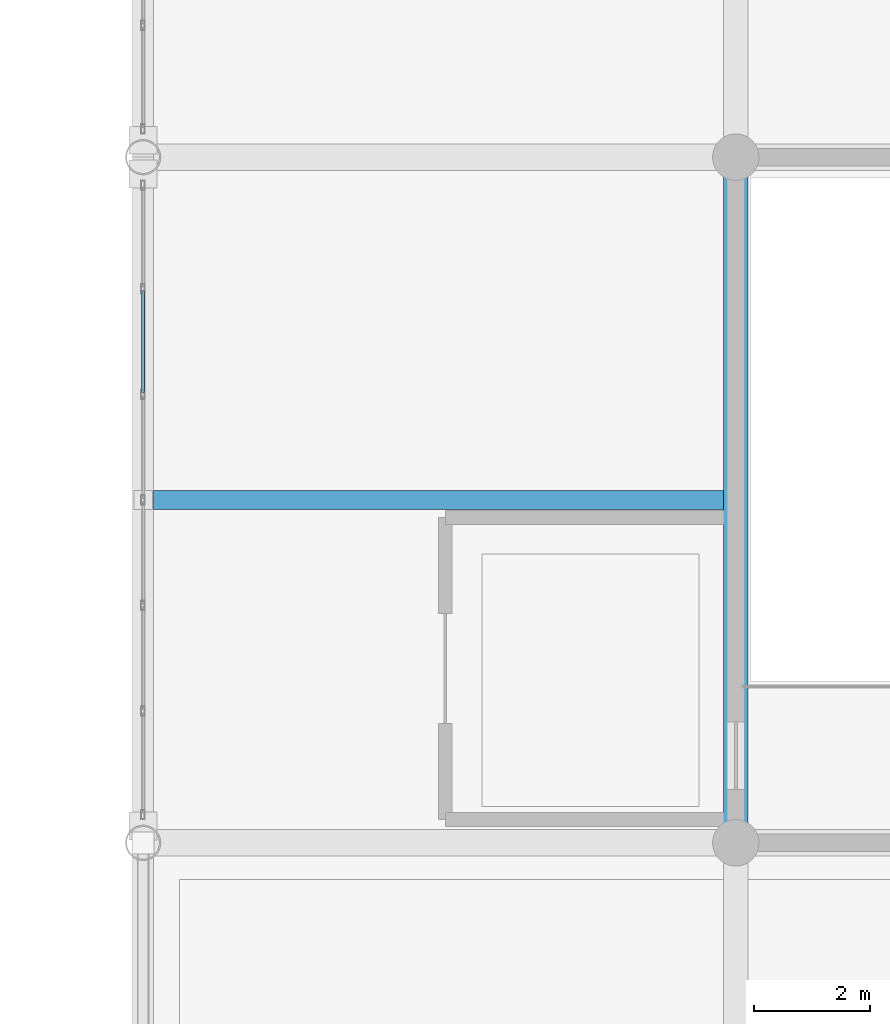
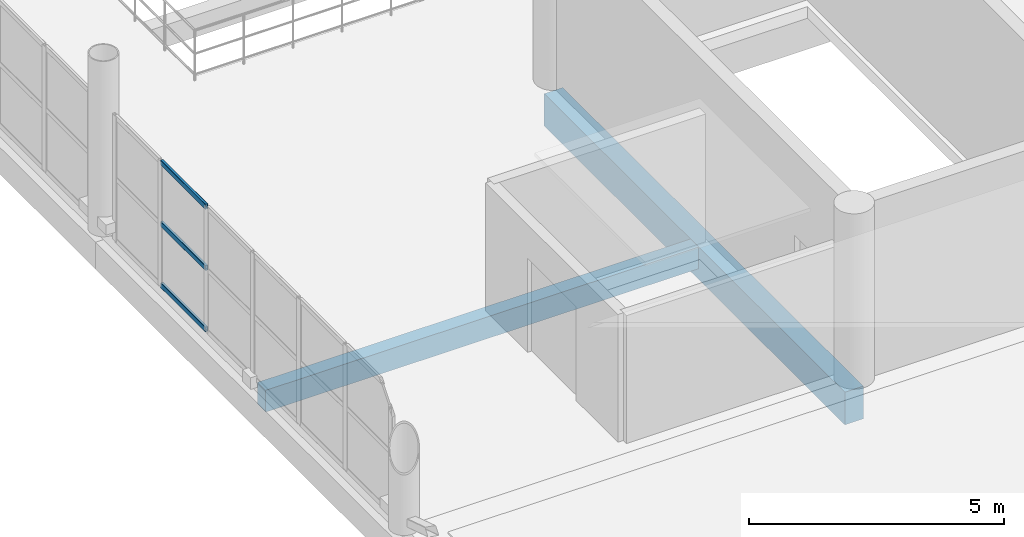
# One storey, part 55 of 157: 3 members, 2 beams, 1 element without a shape of its own.
"""IFC4 building model written with IfcOpenShell, lengths in metres."""

from ifc_helpers import new_model, si_unit, direction, frame, origin, origin_2d, place, context, subcontext, project, spatial, rectangle, hollow_rectangle, extrude, material, material_profile, profile_set, type_object, element, aggregate, save


model = new_model("IFC4")

# Units and contexts
model_context = context("Model", 3, precision=1e-05, world=origin(), true_north=direction((0.0, 1.0)))
body_context = subcontext(model_context, "Body", "Model", "MODEL_VIEW")
ifc_project = project(units=[si_unit("LENGTHUNIT", "METRE"), si_unit("AREAUNIT", "SQUARE_METRE"), si_unit("VOLUMEUNIT", "CUBIC_METRE"), si_unit("PLANEANGLEUNIT", "RADIAN"), si_unit("MASSUNIT", "GRAM", prefix="KILO")], contexts=[model_context])

# Site, building, storey
site_placement = place(None, origin())
site = spatial("IfcSite", under=ifc_project, at=site_placement, CompositionType="ELEMENT")
building_placement = place(site_placement, origin())
building = spatial("IfcBuilding", under=site, at=building_placement, Name="Brelvane Convention Centre", CompositionType="ELEMENT")
storey_placement = place(building_placement, frame((0.0, 0.0, 10.800048828125)))
storey = spatial("IfcBuildingStorey", under=building, at=storey_placement, Name="L02", CompositionType="ELEMENT", Elevation=10.800048828125)

# Curtain wall, members
ifc_material_1 = material(Name="Anodised Aluminium Alloy 6063-T6", Category="aluminium")
curtain_wall_type = type_object("IfcCurtainWallType", Name="Curtain Wall CW-CONC", PredefinedType="USERDEFINED", material=ifc_material_1)
curtain_wall_placement = place(storey_placement, origin())
curtain_wall = element("IfcCurtainWall", 1, at=curtain_wall_placement, inside=storey, type_object=curtain_wall_type, Name="Curtain Wall CW-CONC L02-GAL-ATRIUM-W-1", ObjectType="UNITISED", PredefinedType="USERDEFINED")
ifc_material_2 = material(Name="Anodised Aluminium Alloy 6063-T6", Category="aluminium")
ifc_material_profile_1 = material_profile(ifc_material_2, hollow_rectangle(XDim=0.06005859375, YDim=0.1201171875, WallThickness=0.00390625, InnerFilletRadius=0.00390625, OuterFilletRadius=0.008056640625, at=origin_2d()), Name="ALU-T 120x60x4.0")
ifc_profile_set_1 = profile_set([ifc_material_profile_1], Name="Anodised Aluminium Alloy 6063-T6")
member_type = type_object("IfcMemberType", Name="Curtain Transom CW-T3", PredefinedType="USERDEFINED", material=ifc_profile_set_1)
member_1_placement = place(storey_placement, frame((142.800048828125, 48.34912109375, 0.030029296875), z_axis=(0.0, 1.0, 0.0), x_axis=(-1.0, 0.0, 0.0)))
member_1 = element("IfcMember", 2, at=member_1_placement, type_object=member_type, Name="CW-CONC transom 5.1", ObjectType="TRANSOM", PredefinedType="USERDEFINED", context=body_context, shape_type="SweptSolid", body=[
    extrude(hollow_rectangle(XDim=0.06005859375, YDim=0.1201171875, WallThickness=0.00390625, InnerFilletRadius=0.00390625, OuterFilletRadius=0.008056640625, at=origin_2d()), origin(), (0.0, 0.0, 1.0), 1.751708984375),
])
member_2_placement = place(storey_placement, frame((142.800048828125, 48.34912109375, 1.5), z_axis=(0.0, 1.0, 0.0), x_axis=(-1.0, 0.0, 0.0)))
member_2 = element("IfcMember", 3, at=member_2_placement, type_object=member_type, Name="CW-CONC transom 5.2", ObjectType="TRANSOM", PredefinedType="USERDEFINED", context=body_context, shape_type="SweptSolid", body=[
    extrude(hollow_rectangle(XDim=0.06005859375, YDim=0.1201171875, WallThickness=0.00390625, InnerFilletRadius=0.00390625, OuterFilletRadius=0.008056640625, at=origin_2d()), origin(), (0.0, 0.0, 1.0), 1.751708984375),
])
member_3_placement = place(storey_placement, frame((142.800048828125, 48.34912109375, 2.969970703125), z_axis=(0.0, 1.0, 0.0), x_axis=(-1.0, 0.0, 0.0)))
member_3 = element("IfcMember", 4, at=member_3_placement, type_object=member_type, Name="CW-CONC transom 5.3", ObjectType="TRANSOM", PredefinedType="USERDEFINED", context=body_context, shape_type="SweptSolid", body=[
    extrude(hollow_rectangle(XDim=0.06005859375, YDim=0.1201171875, WallThickness=0.00390625, InnerFilletRadius=0.00390625, OuterFilletRadius=0.008056640625, at=origin_2d()), origin(), (0.0, 0.0, 1.0), 1.751708984375),
])
aggregate(curtain_wall, [member_1, member_2, member_3])

# Beams
ifc_material_3 = material(Name="Concrete M40", Category="concrete")
ifc_material_profile_2 = material_profile(ifc_material_3, rectangle(XDim=0.419921875, YDim=0.780029296875, at=origin_2d()), Name="RC 420x780")
ifc_profile_set_2 = profile_set([ifc_material_profile_2], Name="Concrete M40")
beam_type_1 = type_object("IfcBeamType", Name="RC Beam B-RC12 (RC 420x780)", PredefinedType="BEAM", material=ifc_profile_set_2)
beam_1_placement = place(storey_placement, frame((153.0, 40.60009765625, -0.670166015625), z_axis=(0.0, 1.0, 0.0), x_axis=(-1.0, 0.0, 0.0)))
element("IfcBeam", 5, at=beam_1_placement, inside=storey, type_object=beam_type_1, Name="L02 Girder 16/E-F", PredefinedType="BEAM", context=body_context, shape_type="SweptSolid", body=[
    extrude(rectangle(XDim=0.419921875, YDim=0.780029296875, at=origin_2d()), origin(), (0.0, 0.0, 1.0), 11.7998046875),
])
ifc_material_4 = material(Name="Concrete M40", Category="concrete")
ifc_material_profile_3 = material_profile(ifc_material_4, rectangle(XDim=0.320068359375, YDim=0.52001953125, at=origin_2d()), Name="RC 320x520")
ifc_profile_set_3 = profile_set([ifc_material_profile_3], Name="Concrete M40")
beam_type_2 = type_object("IfcBeamType", Name="RC Joist J-RC4 (RC 320x520)", PredefinedType="JOIST", material=ifc_profile_set_3)
beam_2_placement = place(storey_placement, frame((142.97998046875, 46.5, -0.5400390625), z_axis=(1.0, 0.0, 0.0), x_axis=(0.0, 1.0, 0.0)))
element("IfcBeam", 6, at=beam_2_placement, inside=storey, type_object=beam_type_2, Name="L02 Secondary Joist 15-16/EF", PredefinedType="JOIST", context=body_context, shape_type="SweptSolid", body=[
    extrude(rectangle(XDim=0.320068359375, YDim=0.52001953125, at=origin_2d()), origin(), (0.0, 0.0, 1.0), 9.81005859375),
])

save(model, "model.ifc")
